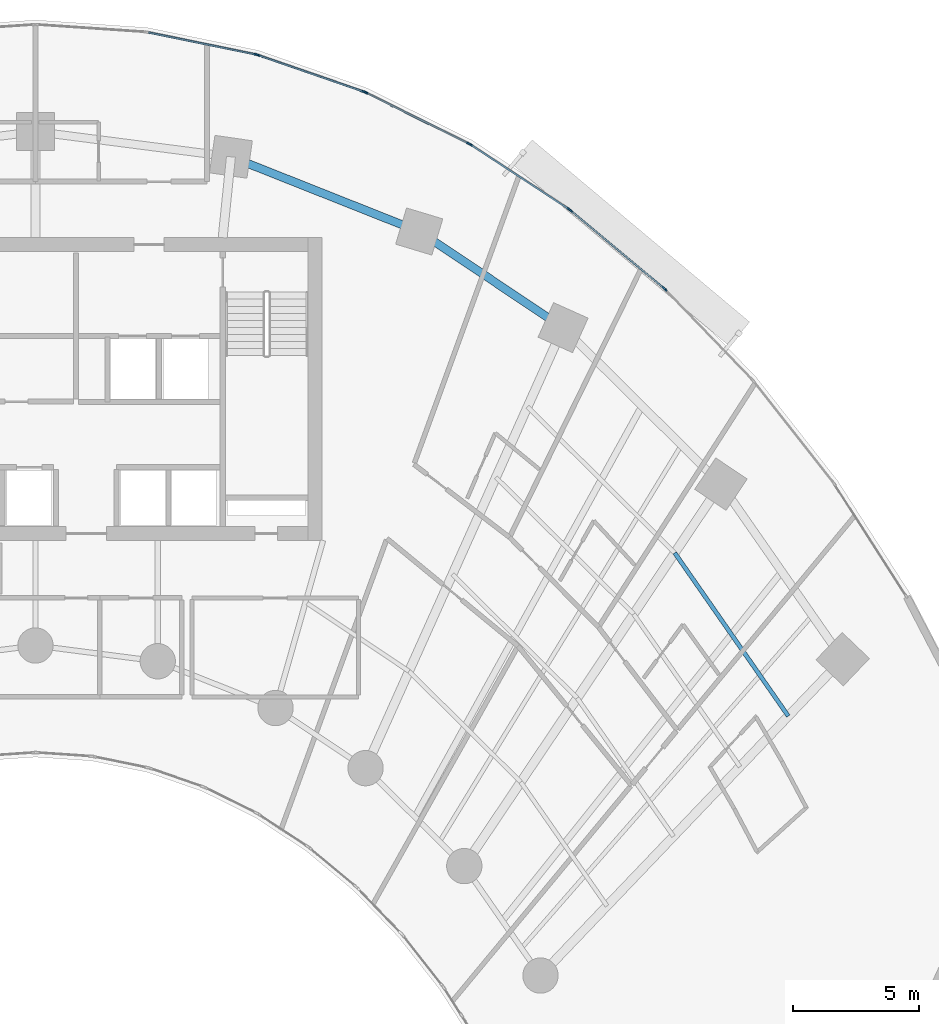
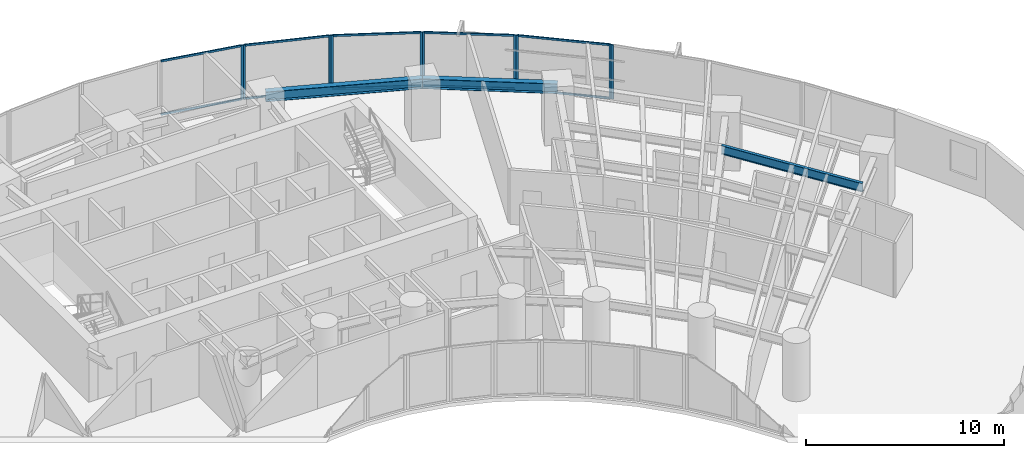
# One storey, part 7 of 17: 20 members, 3 beams, 6 elements without a shape of their own.
"""IFC4 building model written with IfcOpenShell, lengths in metres."""

import ifcopenshell
import ifcopenshell.guid

model = None  # the IFC model being written
_history = None  # IfcOwnerHistory: only IFC2X3 demands one
_inside = {}  # id of a spatial element -> (the spatial element, [elements in it])
_under = {}  # id of a project, library or spatial element -> (it, [spatial elements below it])
_declared = {}  # id of a project -> (the project, [libraries it declares])
_typed = {}  # id of a type object -> (the type object, [elements of that type])
_made_of = {}  # id of a material, layer set ... -> (it, [elements and type objects made of it])


def new_model(schema):
    """Start an empty IFC model of exactly this schema.

    Asked for "IFC4X3", IfcOpenShell would pick the latest addendum, in which some entities
    have other attributes; the version numbers below select the first issue.
    IFC2X3 requires an IfcOwnerHistory on every rooted entity: one is made here for all.
    """
    global model, _history
    if schema == "IFC4X3":
        model = ifcopenshell.file(schema_version=(4, 3, 0, 0))
    else:
        model = ifcopenshell.file(schema=schema)
    _inside.clear()
    _under.clear()
    _declared.clear()
    _typed.clear()
    _made_of.clear()
    _history = None
    if model.schema == "IFC2X3":
        org = make("IfcOrganization", Name="unknown")
        user = make(
            "IfcPersonAndOrganization",
            ThePerson=make("IfcPerson", FamilyName="unknown"),
            TheOrganization=org,
        )
        app = make(
            "IfcApplication",
            ApplicationDeveloper=org,
            Version="unknown",
            ApplicationFullName="unknown",
            ApplicationIdentifier="unknown",
        )
        _history = make(
            "IfcOwnerHistory",
            OwningUser=user,
            OwningApplication=app,
            ChangeAction="ADDED",
            CreationDate=0,
        )
    return model


def make(cls, **values):
    """One entity of the class cls with the attributes given. An attribute that is None is left unset."""
    return model.create_entity(
        cls, **{name: value for name, value in values.items() if value is not None}
    )


def rooted(cls, **values):
    """An entity with a GlobalId (a new one), such as an element, a storey or a relation."""
    return make(cls, GlobalId=ifcopenshell.guid.new(), OwnerHistory=_history, **values)


def si_unit(unit_type, name, prefix=None):
    """IfcSIUnit, for example si_unit("LENGTHUNIT", "METRE", prefix="MILLI")."""
    return make("IfcSIUnit", UnitType=unit_type, Prefix=prefix, Name=name)


def assignment(units):
    """IfcUnitAssignment: the units of a project."""
    return None if units is None else make("IfcUnitAssignment", Units=units)


def point(xyz):
    """IfcCartesianPoint."""
    return None if xyz is None else make("IfcCartesianPoint", Coordinates=xyz)


def direction(xyz):
    """IfcDirection."""
    return None if xyz is None else make("IfcDirection", DirectionRatios=xyz)


def frame(location, z_axis=None, x_axis=None):
    """IfcAxis2Placement3D, a coordinate frame: its origin and axes. An axis left out is left unset."""
    return make(
        "IfcAxis2Placement3D",
        Location=point(location),
        Axis=direction(z_axis),
        RefDirection=direction(x_axis),
    )


def frame_2d(location, x_axis=None):
    """IfcAxis2Placement2D, a coordinate frame in the plane: its origin and x axis."""
    return make(
        "IfcAxis2Placement2D", Location=point(location), RefDirection=direction(x_axis)
    )


def origin():
    """The frame at (0, 0, 0) with its axes left unset."""
    return frame((0.0, 0.0, 0.0))


def origin_2d():
    """The frame at (0, 0) in the plane with its x axis left unset."""
    return frame_2d((0.0, 0.0))


def place(relative_to, where):
    """IfcLocalPlacement: puts the frame where relative to a parent placement (None: the world)."""
    return make(
        "IfcLocalPlacement", PlacementRelTo=relative_to, RelativePlacement=where
    )


def context(
    kind, dimensions, precision=None, world=None, true_north=None, identifier=None
):
    """IfcGeometricRepresentationContext, for example the 3D "Model" context."""
    return make(
        "IfcGeometricRepresentationContext",
        ContextIdentifier=identifier,
        ContextType=kind,
        CoordinateSpaceDimension=dimensions,
        Precision=precision,
        WorldCoordinateSystem=world,
        TrueNorth=true_north,
    )


def subcontext(parent, identifier, kind, view, scale=None):
    """IfcGeometricRepresentationSubContext, for example "Body" below "Model"."""
    return make(
        "IfcGeometricRepresentationSubContext",
        ContextIdentifier=identifier,
        ContextType=kind,
        ParentContext=parent,
        TargetScale=scale,
        TargetView=view,
    )


def project(units=None, contexts=None):
    """IfcProject with its units and contexts."""
    return rooted(
        "IfcProject",
        Name="project",
        RepresentationContexts=contexts,
        UnitsInContext=assignment(units),
    )


def spatial(cls, under=None, at=None, **own):
    """A site, building, storey or space (cls), placed at a placement, below another one or the project."""
    s = rooted(cls, ObjectPlacement=at, **own)
    if under is not None:
        _under.setdefault(under.id(), (under, []))[1].append(s)
    return s


def profile(cls, at=None, kind="AREA", **sizes):
    """A parametric profile (cls). Its sizes go by their IFC names, for example OverallWidth=200.0."""
    return make(cls, ProfileType=kind, Position=at, **sizes)


def rectangle(**sizes):
    """IfcRectangleProfileDef."""
    return profile("IfcRectangleProfileDef", **sizes)


def i_section(**sizes):
    """IfcIShapeProfileDef."""
    return profile("IfcIShapeProfileDef", **sizes)


def extrude(swept, where, along, depth):
    """IfcExtrudedAreaSolid: the profile swept, set in the frame where, extruded along a direction by depth."""
    return make(
        "IfcExtrudedAreaSolid",
        SweptArea=swept,
        Position=where,
        ExtrudedDirection=direction(along),
        Depth=depth,
    )


def shape(context_of_items, identifier, shape_type, items):
    """IfcShapeRepresentation: the items that make up one representation, for example the "Body"."""
    return make(
        "IfcShapeRepresentation",
        ContextOfItems=context_of_items,
        RepresentationIdentifier=identifier,
        RepresentationType=shape_type,
        Items=items,
    )


def source(mapping_origin, context_of_items, identifier, shape_type, items):
    """IfcRepresentationMap: a shape defined once, which mapped items show again and again."""
    return make(
        "IfcRepresentationMap",
        MappingOrigin=mapping_origin,
        MappedRepresentation=shape(context_of_items, identifier, shape_type, items),
    )


def transform(
    local_origin,
    x_axis=None,
    y_axis=None,
    z_axis=None,
    scale=None,
    scale2=None,
    scale3=None,
    uniform=True,
):
    """IfcCartesianTransformationOperator3D, or its non-uniform kind. x_axis, y_axis, z_axis: its Axis1, 2, 3."""
    if uniform:
        return make(
            "IfcCartesianTransformationOperator3D",
            Axis1=direction(x_axis),
            Axis2=direction(y_axis),
            LocalOrigin=point(local_origin),
            Scale=scale,
            Axis3=direction(z_axis),
        )
    return make(
        "IfcCartesianTransformationOperator3DnonUniform",
        Axis1=direction(x_axis),
        Axis2=direction(y_axis),
        LocalOrigin=point(local_origin),
        Scale=scale,
        Axis3=direction(z_axis),
        Scale2=scale2,
        Scale3=scale3,
    )


def mapped(mapping_source, mapping_target):
    """IfcMappedItem: shows the shape of a source again, moved by a transform."""
    return make(
        "IfcMappedItem", MappingSource=mapping_source, MappingTarget=mapping_target
    )


def material(Name=None, Category=None):
    """IfcMaterial."""
    return make("IfcMaterial", Name=Name, Category=Category)


def layer(
    of_material, thickness, ventilated=None, Name=None, Category=None, Priority=None
):
    """IfcMaterialLayer: one layer of a wall or slab, of a material (None: an air gap)."""
    return make(
        "IfcMaterialLayer",
        Material=of_material,
        LayerThickness=thickness,
        IsVentilated=ventilated,
        Name=Name,
        Category=Category,
        Priority=Priority,
    )


def layer_set(layers, Name=None):
    """IfcMaterialLayerSet."""
    return make("IfcMaterialLayerSet", MaterialLayers=layers, LayerSetName=Name)


def material_profile(
    of_material, cross_section, Name=None, Category=None, Priority=None
):
    """IfcMaterialProfile: a cross section and its material."""
    return make(
        "IfcMaterialProfile",
        Name=Name,
        Material=of_material,
        Profile=cross_section,
        Priority=Priority,
        Category=Category,
    )


def profile_set(profiles, Name=None, composite=None):
    """IfcMaterialProfileSet."""
    return make(
        "IfcMaterialProfileSet",
        Name=Name,
        MaterialProfiles=profiles,
        CompositeProfile=composite,
    )


def made_of(thing, what):
    """Note that an element or type object is made of a material, layer set ...; save() writes the relation."""
    if what is not None:
        _made_of.setdefault(what.id(), (what, []))[1].append(thing)
    return thing


def type_object(cls, material=None, **own):
    """A type object (cls), such as IfcWallType, which elements share."""
    return made_of(rooted(cls, **own), material)


def type_shapes(of_type, sources):
    """Give a type object the sources (RepresentationMaps) that its elements show as mapped items."""
    of_type.RepresentationMaps = sources


def element(
    cls,
    number,
    at=None,
    inside=None,
    cuts=None,
    type_object=None,
    material=None,
    context=None,
    identifier="Body",
    shape_type=None,
    held_by="IfcProductDefinitionShape",
    body=None,
    shapes=None,
    **own,
):
    """One element of the class cls, such as IfcWall. Its Tag is "e" and its number.

    at: its placement. inside: the storey or other place that contains it. cuts: it is an
    opening in that element (IfcRelVoidsElement). A single representation is given by context,
    identifier, shape_type and body (its items); several are given by shapes. held_by: the class
    of the entity that holds the representations. save() writes the other relations.
    """
    e = rooted(cls, Tag="e%d" % number, ObjectPlacement=at, **own)
    if body is not None:
        shapes = [shape(context, identifier, shape_type, body)]
    if shapes is not None:
        e.Representation = make(held_by, Representations=shapes)
    if inside is not None:
        _inside.setdefault(inside.id(), (inside, []))[1].append(e)
    if cuts is not None:
        rooted(
            "IfcRelVoidsElement", RelatingBuildingElement=cuts, RelatedOpeningElement=e
        )
    if type_object is not None:
        _typed.setdefault(type_object.id(), (type_object, []))[1].append(e)
    return made_of(e, material)


def aggregate(whole, parts):
    """IfcRelAggregates: a whole, such as a stair, and the parts it consists of."""
    return rooted("IfcRelAggregates", RelatingObject=whole, RelatedObjects=parts)


def save(model, path):
    """Write the relations noted so far, then the file.

    IfcRelAggregates (storeys below a building ...), IfcRelContainedInSpatialStructure (elements
    in a storey), IfcRelDefinesByType, IfcRelAssociatesMaterial and IfcRelDeclares: one each for
    every whole, place, type object, material and project.
    """
    for whole, parts in _under.values():
        aggregate(whole, parts)
    for where, things in _inside.values():
        rooted(
            "IfcRelContainedInSpatialStructure",
            RelatedElements=things,
            RelatingStructure=where,
        )
    for kind, things in _typed.values():
        rooted("IfcRelDefinesByType", RelatedObjects=things, RelatingType=kind)
    for what, things in _made_of.values():
        rooted("IfcRelAssociatesMaterial", RelatedObjects=things, RelatingMaterial=what)
    for by, libraries in _declared.values():
        rooted("IfcRelDeclares", RelatingContext=by, RelatedDefinitions=libraries)
    model.write(path)


model = new_model("IFC4")

# Units and contexts
model_context = context("Model", 3, precision=1e-05, world=origin(), true_north=direction((0.0, 1.0)))
body_context = subcontext(model_context, "Body", "Model", "MODEL_VIEW")
ifc_project = project(units=[si_unit("LENGTHUNIT", "METRE"), si_unit("AREAUNIT", "SQUARE_METRE"), si_unit("VOLUMEUNIT", "CUBIC_METRE"), si_unit("PLANEANGLEUNIT", "RADIAN"), si_unit("MASSUNIT", "GRAM", prefix="KILO")], contexts=[model_context])

# Site, building, storey
site_placement = place(None, origin())
site = spatial("IfcSite", under=ifc_project, at=site_placement, CompositionType="ELEMENT")
building_placement = place(site_placement, origin())
building = spatial("IfcBuilding", under=site, at=building_placement, Name="Breltana Convention Tower", CompositionType="ELEMENT")
storey_placement = place(building_placement, frame((0.0, 0.0, 57.0)))
storey = spatial("IfcBuildingStorey", under=building, at=storey_placement, Name="L12", CompositionType="ELEMENT", Elevation=57.0)

# Beams
ifc_material_1 = material(Name="Steel ASTM A992 Grade 50", Category="steel")
ifc_material_profile_1 = material_profile(ifc_material_1, i_section(OverallWidth=0.323974609375, OverallDepth=0.611083984375, WebThickness=0.0126953125, FlangeThickness=0.01904296875, at=origin_2d()), Name="W24X104")
ifc_profile_set_1 = profile_set([ifc_material_profile_1], Name="Steel ASTM A992 Grade 50")
beam_type_1 = type_object("IfcBeamType", Name="BM-SP-W24X104", PredefinedType="SPANDREL", material=ifc_profile_set_1)
shared_shape_1 = source(origin(), body_context, "Body", "SweptSolid", [
    extrude(i_section(OverallWidth=0.323974609375, OverallDepth=0.611083984375, WebThickness=0.0126953125, FlangeThickness=0.01904296875, at=origin_2d()), origin(), (0.0, 0.0, 1.0), 8.028564453125),
])
beam_1_placement = place(storey_placement, frame((55.746826171875, 75.404296875, 3.054443359375), z_axis=(0.929459100394, -0.368925169507, 0.0), x_axis=(0.368925169507, 0.929459100394, 0.0)))
element("IfcBeam", 1, at=beam_1_placement, inside=storey, type_object=beam_type_1, Name="L12 Outer Spandrel Beam 07", PredefinedType="SPANDREL", context=body_context, shape_type="MappedRepresentation", body=[
    mapped(shared_shape_1, transform((0.0, 0.0, 0.0), scale=1.0)),
])
shared_shape_2 = source(origin(), body_context, "Body", "SweptSolid", [
    extrude(i_section(OverallWidth=0.323974609375, OverallDepth=0.611083984375, WebThickness=0.0126953125, FlangeThickness=0.01904296875, at=origin_2d()), origin(), (0.0, 0.0, 1.0), 6.856689453125),
])
beam_2_placement = place(storey_placement, frame((63.208984375, 72.4423828125, 3.054443359375), z_axis=(0.83150210718, -0.55552159792, 0.0), x_axis=(0.55552159792, 0.83150210718, 0.0)))
element("IfcBeam", 2, at=beam_2_placement, inside=storey, type_object=beam_type_1, Name="L12 Outer Spandrel Beam 08", PredefinedType="SPANDREL", context=body_context, shape_type="MappedRepresentation", body=[
    mapped(shared_shape_2, transform((0.0, 0.0, 0.0), scale=1.0)),
])
ifc_material_profile_2 = material_profile(ifc_material_1, i_section(OverallWidth=0.166015625, OverallDepth=0.534912109375, WebThickness=0.01025390625, FlangeThickness=0.0166015625, at=origin_2d()), Name="W21X57")
ifc_profile_set_2 = profile_set([ifc_material_profile_2], Name="Steel ASTM A992 Grade 50")
beam_type_2 = type_object("IfcBeamType", Name="BM-JSG-05", PredefinedType="JOIST", material=ifc_profile_set_2)
shared_shape_3 = source(origin(), body_context, "Body", "SweptSolid", [
    extrude(i_section(OverallWidth=0.166015625, OverallDepth=0.534912109375, WebThickness=0.01025390625, FlangeThickness=0.0166015625, at=origin_2d()), origin(), (0.0, 0.0, 1.0), 7.88037109375),
])
beam_3_placement = place(storey_placement, frame((73.3359375, 59.70556640625, 3.092529296875), z_axis=(0.571197916304, -0.820812366141, 0.0), x_axis=(0.820812366141, 0.571197916304, 0.0)))
element("IfcBeam", 3, at=beam_3_placement, inside=storey, type_object=beam_type_2, Name="L12 Composite Floor Joist 10.4", PredefinedType="JOIST", context=body_context, shape_type="MappedRepresentation", body=[
    mapped(shared_shape_3, transform((0.0, 0.0, 0.0), scale=1.0)),
])

# Curtain wall, member
ifc_material_2 = material(Name="Aluminium Anodised Bronze Frame", Category="aluminium")
ifc_layer = layer(ifc_material_2, 0.199951171875, Name="Aluminium Anodised Bronze Frame")
ifc_layer_set = layer_set([ifc_layer], Name="Aluminium Anodised Bronze Frame")
curtain_wall_type = type_object("IfcCurtainWallType", Name="CW-SYS-2", PredefinedType="NOTDEFINED", material=ifc_layer_set)
curtain_wall_1_placement = place(storey_placement, origin())
curtain_wall_1 = element("IfcCurtainWall", 4, at=curtain_wall_1_placement, inside=storey, type_object=curtain_wall_type, Name="L12 outer double-skin inner glazing 11", PredefinedType="NOTDEFINED")
ifc_material_3 = material(Name="Aluminium Anodised Bronze", Category="aluminium")
ifc_material_profile_3 = material_profile(ifc_material_3, rectangle(XDim=0.070068359375, YDim=0.175048828125, at=origin_2d()), Name="CWM-70X175")
ifc_profile_set_3 = profile_set([ifc_material_profile_3], Name="Aluminium Anodised Bronze")
member_type_1 = type_object("IfcMemberType", Name="CWM-175", PredefinedType="MULLION", material=ifc_profile_set_3)
shared_shape_4 = source(origin(), body_context, "Body", "SweptSolid", [
    extrude(rectangle(XDim=0.070068359375, YDim=0.175048828125, at=origin_2d()), origin(), (0.0, 0.0, 1.0), 3.360107421875),
])
type_shapes(member_type_1, [shared_shape_4])
member_1_placement = place(storey_placement, frame((56.7451171875, 79.45751953125, 0.0), z_axis=(0.0, 0.0, 1.0), x_axis=(0.200884537139, 0.979614925743, 0.0)))
member_1 = element("IfcMember", 5, at=member_1_placement, type_object=member_type_1, Name="CW-02 mullion 2", PredefinedType="MULLION", context=body_context, shape_type="MappedRepresentation", body=[
    mapped(shared_shape_4, transform((0.0, 0.0, 0.0), scale=1.0)),
])

# Curtain wall, members
curtain_wall_2_placement = place(storey_placement, origin())
curtain_wall_2 = element("IfcCurtainWall", 6, at=curtain_wall_2_placement, inside=storey, type_object=curtain_wall_type, Name="L12 outer double-skin inner glazing 12", PredefinedType="NOTDEFINED")
member_2_placement = place(storey_placement, frame((56.8125, 79.43896484375, 0.0), z_axis=(0.0, 0.0, 1.0), x_axis=(0.32742834581, 0.944876012163, 0.0)))
member_2 = element("IfcMember", 7, at=member_2_placement, type_object=member_type_1, Name="CW-02 mullion 1", PredefinedType="MULLION", context=body_context, shape_type="MappedRepresentation", body=[
    mapped(shared_shape_4, transform((0.0, 0.0, 0.0), scale=1.0)),
])
member_3_placement = place(storey_placement, frame((61.025146484375, 77.979248046875, 0.0), z_axis=(0.0, 0.0, 1.0), x_axis=(0.32742834581, 0.944876012163, 0.0)))
member_3 = element("IfcMember", 8, at=member_3_placement, type_object=member_type_1, Name="CW-02 mullion 2", PredefinedType="MULLION", context=body_context, shape_type="MappedRepresentation", body=[
    mapped(shared_shape_4, transform((0.0, 0.0, 0.0), scale=1.0)),
])

curtain_wall_3_placement = place(storey_placement, origin())
curtain_wall_3 = element("IfcCurtainWall", 9, at=curtain_wall_3_placement, inside=storey, type_object=curtain_wall_type, Name="L12 outer double-skin inner glazing 13", PredefinedType="NOTDEFINED")
member_4_placement = place(storey_placement, frame((61.089599609375, 77.9521484375, 0.0), z_axis=(0.0, 0.0, 1.0), x_axis=(0.444107703726, 0.895973407804, 0.0)))
member_4 = element("IfcMember", 10, at=member_4_placement, type_object=member_type_1, Name="CW-02 mullion 1", PredefinedType="MULLION", context=body_context, shape_type="MappedRepresentation", body=[
    mapped(shared_shape_4, transform((0.0, 0.0, 0.0), scale=1.0)),
])
member_5_placement = place(storey_placement, frame((65.1728515625, 75.92822265625, 0.0), z_axis=(0.0, 0.0, 1.0), x_axis=(0.444107703726, 0.895973407804, 0.0)))
member_5 = element("IfcMember", 11, at=member_5_placement, type_object=member_type_1, Name="CW-02 mullion 2", PredefinedType="MULLION", context=body_context, shape_type="MappedRepresentation", body=[
    mapped(shared_shape_4, transform((0.0, 0.0, 0.0), scale=1.0)),
])

curtain_wall_4_placement = place(storey_placement, origin())
curtain_wall_4 = element("IfcCurtainWall", 12, at=curtain_wall_4_placement, inside=storey, type_object=curtain_wall_type, Name="L12 outer double-skin inner glazing 14", PredefinedType="NOTDEFINED")
member_6_placement = place(storey_placement, frame((65.233642578125, 75.8935546875, 0.0), z_axis=(0.0, 0.0, 1.0), x_axis=(0.548784255746, 0.83596401875, 0.0)))
member_6 = element("IfcMember", 13, at=member_6_placement, type_object=member_type_1, Name="CW-02 mullion 1", PredefinedType="MULLION", context=body_context, shape_type="MappedRepresentation", body=[
    mapped(shared_shape_4, transform((0.0, 0.0, 0.0), scale=1.0)),
])
member_7_placement = place(storey_placement, frame((69.146484375, 73.32470703125, 0.0), z_axis=(0.0, 0.0, 1.0), x_axis=(0.548784255746, 0.83596401875, 0.0)))
member_7 = element("IfcMember", 14, at=member_7_placement, type_object=member_type_1, Name="CW-02 mullion 2", PredefinedType="MULLION", context=body_context, shape_type="MappedRepresentation", body=[
    mapped(shared_shape_4, transform((0.0, 0.0, 0.0), scale=1.0)),
])

curtain_wall_5_placement = place(storey_placement, origin())
curtain_wall_5 = element("IfcCurtainWall", 15, at=curtain_wall_5_placement, inside=storey, type_object=curtain_wall_type, Name="L12 outer double-skin inner glazing 15", PredefinedType="NOTDEFINED")
member_8_placement = place(storey_placement, frame((69.20263671875, 73.283203125, 0.0), z_axis=(0.0, 0.0, 1.0), x_axis=(0.640520193554, 0.767941326958, 0.0)))
member_8 = element("IfcMember", 16, at=member_8_placement, type_object=member_type_1, Name="CW-02 mullion 1", PredefinedType="MULLION", context=body_context, shape_type="MappedRepresentation", body=[
    mapped(shared_shape_4, transform((0.0, 0.0, 0.0), scale=1.0)),
])
member_9_placement = place(storey_placement, frame((72.90478515625, 70.1953125, 0.0), z_axis=(0.0, 0.0, 1.0), x_axis=(0.640520193554, 0.767941326958, 0.0)))
member_9 = element("IfcMember", 17, at=member_9_placement, type_object=member_type_1, Name="CW-02 mullion 2", PredefinedType="MULLION", context=body_context, shape_type="MappedRepresentation", body=[
    mapped(shared_shape_4, transform((0.0, 0.0, 0.0), scale=1.0)),
])

# Curtain wall, member
curtain_wall_6_placement = place(storey_placement, origin())
curtain_wall_6 = element("IfcCurtainWall", 18, at=curtain_wall_6_placement, inside=storey, type_object=curtain_wall_type, Name="L12 outer double-skin inner glazing 16", PredefinedType="NOTDEFINED")
member_10_placement = place(storey_placement, frame((72.955810546875, 70.147705078125, 0.0), z_axis=(0.0, 0.0, 1.0), x_axis=(0.719386421003, 0.694610090106, 0.0)))
member_10 = element("IfcMember", 19, at=member_10_placement, type_object=member_type_1, Name="CW-02 mullion 1", PredefinedType="MULLION", context=body_context, shape_type="MappedRepresentation", body=[
    mapped(shared_shape_4, transform((0.0, 0.0, 0.0), scale=1.0)),
])
aggregate(curtain_wall_6, [member_10])

# Member
ifc_material_profile_4 = material_profile(ifc_material_3, rectangle(XDim=0.070068359375, YDim=0.1201171875, at=origin_2d()), Name="CWT-70X120")
ifc_profile_set_4 = profile_set([ifc_material_profile_4], Name="Aluminium Anodised Bronze")
member_type_2 = type_object("IfcMemberType", Name="CWT-120", PredefinedType="USERDEFINED", material=ifc_profile_set_4)
shared_shape_5 = source(origin(), body_context, "Body", "SweptSolid", [
    extrude(rectangle(XDim=0.070068359375, YDim=0.1201171875, at=origin_2d()), origin(), (0.0, 0.0, 1.0), 4.7509765625),
])
member_11_placement = place(storey_placement, frame((69.2294921875, 73.2607421875, 0.034912109375), z_axis=(0.767951631807, -0.64050783852, 0.0), x_axis=(0.64050783852, 0.767951631807, 0.0)))
member_11 = element("IfcMember", 20, at=member_11_placement, type_object=member_type_2, Name="CW-02 transom 1.1", ObjectType="TRANSOM", PredefinedType="USERDEFINED", context=body_context, shape_type="MappedRepresentation", body=[
    mapped(shared_shape_5, transform((0.0, 0.0, 0.0), scale=1.0)),
])

member_12_placement = place(storey_placement, frame((69.2294921875, 73.2607421875, 3.324951171875), z_axis=(0.767951631807, -0.64050783852, 0.0), x_axis=(0.64050783852, 0.767951631807, 0.0)))
member_12 = element("IfcMember", 21, at=member_12_placement, type_object=member_type_2, Name="CW-02 transom 1.2", ObjectType="TRANSOM", PredefinedType="USERDEFINED", context=body_context, shape_type="MappedRepresentation", body=[
    mapped(shared_shape_5, transform((0.0, 0.0, 0.0), scale=1.0)),
])

aggregate(curtain_wall_5, [member_8, member_9, member_11, member_12])

shared_shape_6 = source(origin(), body_context, "Body", "SweptSolid", [
    extrude(rectangle(XDim=0.070068359375, YDim=0.1201171875, at=origin_2d()), origin(), (0.0, 0.0, 1.0), 4.610595703125),
])
member_13_placement = place(storey_placement, frame((65.262939453125, 75.874267578125, 0.034912109375), z_axis=(0.835956055104, -0.54879638659, 0.0), x_axis=(0.54879638659, 0.835956055104, 0.0)))
member_13 = element("IfcMember", 22, at=member_13_placement, type_object=member_type_2, Name="CW-02 transom 1.1", ObjectType="TRANSOM", PredefinedType="USERDEFINED", context=body_context, shape_type="MappedRepresentation", body=[
    mapped(shared_shape_6, transform((0.0, 0.0, 0.0), scale=1.0)),
])

member_14_placement = place(storey_placement, frame((65.262939453125, 75.874267578125, 3.324951171875), z_axis=(0.835956055104, -0.54879638659, 0.0), x_axis=(0.54879638659, 0.835956055104, 0.0)))
member_14 = element("IfcMember", 23, at=member_14_placement, type_object=member_type_2, Name="CW-02 transom 1.2", ObjectType="TRANSOM", PredefinedType="USERDEFINED", context=body_context, shape_type="MappedRepresentation", body=[
    mapped(shared_shape_6, transform((0.0, 0.0, 0.0), scale=1.0)),
])

aggregate(curtain_wall_4, [member_6, member_7, member_13, member_14])

shared_shape_7 = source(origin(), body_context, "Body", "SweptSolid", [
    extrude(rectangle(XDim=0.070068359375, YDim=0.1201171875, at=origin_2d()), origin(), (0.0, 0.0, 1.0), 4.487548828125),
])
member_15_placement = place(storey_placement, frame((61.120849609375, 77.936767578125, 0.034912109375), z_axis=(0.895977728863, -0.444098986017, 0.0), x_axis=(0.444098986017, 0.895977728863, 0.0)))
member_15 = element("IfcMember", 24, at=member_15_placement, type_object=member_type_2, Name="CW-02 transom 1.1", ObjectType="TRANSOM", PredefinedType="USERDEFINED", context=body_context, shape_type="MappedRepresentation", body=[
    mapped(shared_shape_7, transform((0.0, 0.0, 0.0), scale=1.0)),
])

member_16_placement = place(storey_placement, frame((61.120849609375, 77.936767578125, 3.324951171875), z_axis=(0.895977728863, -0.444098986017, 0.0), x_axis=(0.444098986017, 0.895977728863, 0.0)))
member_16 = element("IfcMember", 25, at=member_16_placement, type_object=member_type_2, Name="CW-02 transom 1.2", ObjectType="TRANSOM", PredefinedType="USERDEFINED", context=body_context, shape_type="MappedRepresentation", body=[
    mapped(shared_shape_7, transform((0.0, 0.0, 0.0), scale=1.0)),
])

aggregate(curtain_wall_3, [member_4, member_5, member_15, member_16])

shared_shape_8 = source(origin(), body_context, "Body", "SweptSolid", [
    extrude(rectangle(XDim=0.070068359375, YDim=0.1201171875, at=origin_2d()), origin(), (0.0, 0.0, 1.0), 4.38818359375),
])
member_17_placement = place(storey_placement, frame((56.845703125, 79.427490234375, 0.034912109375), z_axis=(0.944878203019, -0.32742202348, 0.0), x_axis=(0.32742202348, 0.944878203019, 0.0)))
member_17 = element("IfcMember", 26, at=member_17_placement, type_object=member_type_2, Name="CW-02 transom 1.1", ObjectType="TRANSOM", PredefinedType="USERDEFINED", context=body_context, shape_type="MappedRepresentation", body=[
    mapped(shared_shape_8, transform((0.0, 0.0, 0.0), scale=1.0)),
])

member_18_placement = place(storey_placement, frame((56.845703125, 79.427490234375, 3.324951171875), z_axis=(0.944878203019, -0.32742202348, 0.0), x_axis=(0.32742202348, 0.944878203019, 0.0)))
member_18 = element("IfcMember", 27, at=member_18_placement, type_object=member_type_2, Name="CW-02 transom 1.2", ObjectType="TRANSOM", PredefinedType="USERDEFINED", context=body_context, shape_type="MappedRepresentation", body=[
    mapped(shared_shape_8, transform((0.0, 0.0, 0.0), scale=1.0)),
])

aggregate(curtain_wall_2, [member_2, member_3, member_17, member_18])

shared_shape_9 = source(origin(), body_context, "Body", "SweptSolid", [
    extrude(rectangle(XDim=0.070068359375, YDim=0.1201171875, at=origin_2d()), origin(), (0.0, 0.0, 1.0), 4.318359375),
])
member_19_placement = place(storey_placement, frame((52.480712890625, 80.33203125, 0.034912109375), z_axis=(0.979616680923, -0.200875977799, 0.0), x_axis=(0.200875977799, 0.979616680923, 0.0)))
member_19 = element("IfcMember", 28, at=member_19_placement, type_object=member_type_2, Name="CW-02 transom 1.1", ObjectType="TRANSOM", PredefinedType="USERDEFINED", context=body_context, shape_type="MappedRepresentation", body=[
    mapped(shared_shape_9, transform((0.0, 0.0, 0.0), scale=1.0)),
])

member_20_placement = place(storey_placement, frame((52.480712890625, 80.33203125, 3.324951171875), z_axis=(0.979616680923, -0.200875977799, 0.0), x_axis=(0.200875977799, 0.979616680923, 0.0)))
member_20 = element("IfcMember", 29, at=member_20_placement, type_object=member_type_2, Name="CW-02 transom 1.2", ObjectType="TRANSOM", PredefinedType="USERDEFINED", context=body_context, shape_type="MappedRepresentation", body=[
    mapped(shared_shape_9, transform((0.0, 0.0, 0.0), scale=1.0)),
])

aggregate(curtain_wall_1, [member_1, member_19, member_20])

save(model, "model.ifc")
